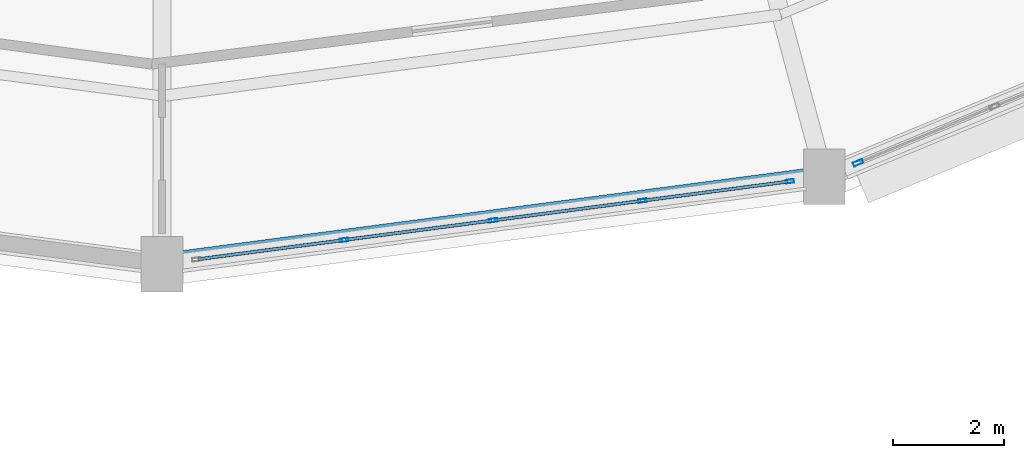
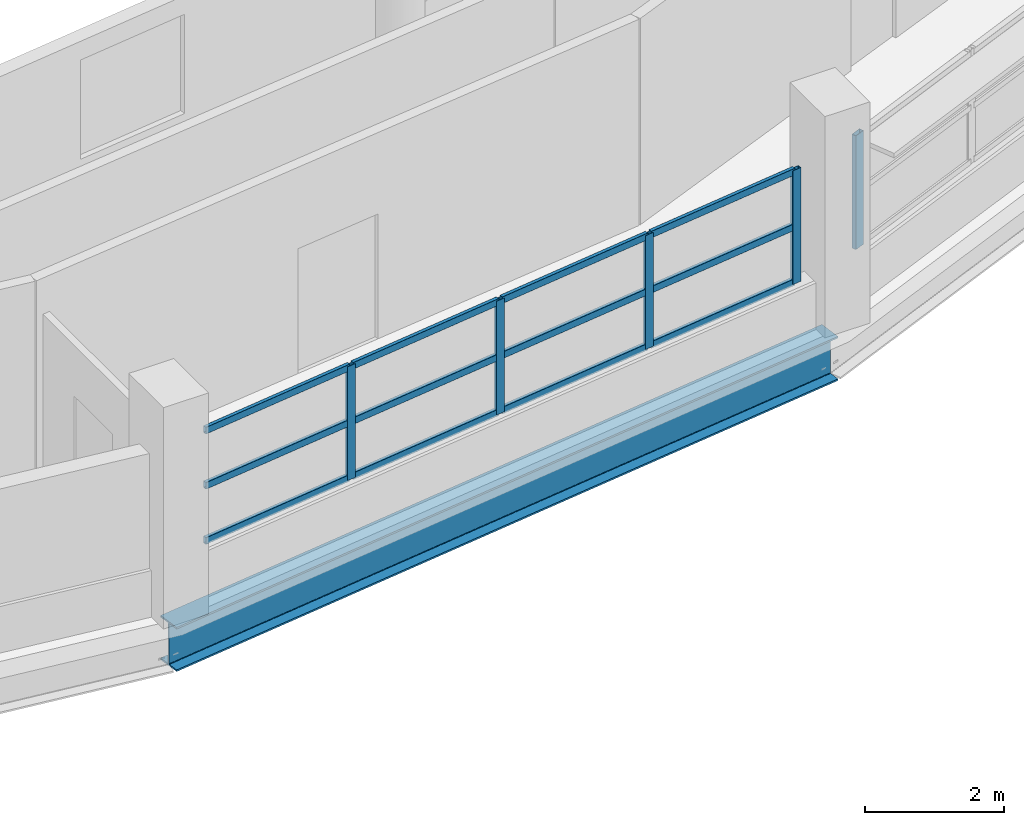
# One storey, part 22 of 88: 17 members, 1 beam, 2 elements without a shape of their own.
"""IFC4 building model written with IfcOpenShell, lengths in metres."""

from ifc_helpers import new_model, si_unit, direction, frame, origin, origin_2d, place, context, subcontext, project, spatial, hollow_rectangle, i_section, extrude, material, layer, layer_set, material_profile, profile_set, type_object, element, aggregate, save


model = new_model("IFC4")

# Units and contexts
model_context = context("Model", 3, precision=1e-05, world=origin(), true_north=direction((0.0, 1.0)))
body_context = subcontext(model_context, "Body", "Model", "MODEL_VIEW")
ifc_project = project(units=[si_unit("LENGTHUNIT", "METRE"), si_unit("AREAUNIT", "SQUARE_METRE"), si_unit("VOLUMEUNIT", "CUBIC_METRE"), si_unit("PLANEANGLEUNIT", "RADIAN"), si_unit("MASSUNIT", "GRAM", prefix="KILO")], contexts=[model_context])

# Site, building, storey
site_placement = place(None, origin())
site = spatial("IfcSite", under=ifc_project, at=site_placement, CompositionType="ELEMENT")
building_placement = place(site_placement, origin())
building = spatial("IfcBuilding", under=site, at=building_placement, Name="Vespera Passage Community Centre", CompositionType="ELEMENT")
storey_placement = place(building_placement, frame((0.0, 0.0, 16.5)))
storey = spatial("IfcBuildingStorey", under=building, at=storey_placement, Name="L04", CompositionType="ELEMENT", Elevation=16.5)

# Beam
ifc_material_1 = material(Name="Steel ASTM A992 Grade 50", Category="steel")
ifc_material_profile_1 = material_profile(ifc_material_1, i_section(OverallWidth=0.382080078125, OverallDepth=0.779296875, WebThickness=0.01806640625, FlangeThickness=0.030029296875, FilletRadius=0.0166015625, at=origin_2d()), Name="W30X191")
ifc_profile_set_1 = profile_set([ifc_material_profile_1], Name="Steel ASTM A992 Grade 50")
beam_type = type_object("IfcBeamType", Name="BM-SP-W30X191E", PredefinedType="SPANDREL", material=ifc_profile_set_1)
beam_placement = place(storey_placement, frame((78.0, 19.39990234375, -0.689697265625), z_axis=(0.991445178667, 0.130523782115, 0.0), x_axis=(-0.130523782115, 0.991445178667, 0.0)))
element("IfcBeam", 1, at=beam_placement, inside=storey, type_object=beam_type, Name="V4 L04 Outer Spandrel 18", PredefinedType="SPANDREL", context=body_context, shape_type="SweptSolid", body=[
    extrude(i_section(OverallWidth=0.382080078125, OverallDepth=0.779296875, WebThickness=0.01806640625, FlangeThickness=0.030029296875, FilletRadius=0.0166015625, at=origin_2d()), origin(), (0.0, 0.0, 1.0), 12.03466796875),
])

# Curtain wall, members
ifc_material_2 = material(Name="Anodized aluminium 6063-T6", Category="aluminium")
ifc_layer_1 = layer(ifc_material_2, 0.159912109375)
ifc_layer_set_1 = layer_set([ifc_layer_1], Name="Anodized aluminium 6063-T6")
curtain_wall_type_1 = type_object("IfcCurtainWallType", Name="CW-59E", PredefinedType="NOTDEFINED", material=ifc_layer_set_1)
curtain_wall_1_placement = place(storey_placement, origin())
curtain_wall_1 = element("IfcCurtainWall", 2, at=curtain_wall_1_placement, inside=storey, type_object=curtain_wall_type_1, Name="V4 L04 Outer Ribbon Curtain Wall 18", PredefinedType="NOTDEFINED")
ifc_material_3 = material(Name="Anodized aluminium 6063-T6", Category="aluminium")
ifc_material_profile_2 = material_profile(ifc_material_3, hollow_rectangle(XDim=0.06494140625, YDim=0.14990234375, WallThickness=0.00390625, InnerFilletRadius=0.001953125, OuterFilletRadius=0.00390625, at=origin_2d()), Name="ALU150X65X4")
ifc_profile_set_2 = profile_set([ifc_material_profile_2], Name="Anodized aluminium 6063-T6")
member_type_1 = type_object("IfcMemberType", Name="MB-CWM-150E", PredefinedType="MULLION", material=ifc_profile_set_2)
member_1_placement = place(storey_placement, frame((89.311279296875, 20.88916015625, 0.820068359375), z_axis=(0.0, 0.0, 1.0), x_axis=(0.130530818696, -0.991444252276, 0.0)))
member_1 = element("IfcMember", 3, at=member_1_placement, type_object=member_type_1, Name="CW-59E mullion 1", PredefinedType="MULLION", context=body_context, shape_type="SweptSolid", body=[
    extrude(hollow_rectangle(XDim=0.06494140625, YDim=0.14990234375, WallThickness=0.00390625, InnerFilletRadius=0.001953125, OuterFilletRadius=0.00390625, at=origin_2d()), origin(), (0.0, 0.0, 1.0), 2.005615234375),
])
member_2_placement = place(storey_placement, frame((86.654541015625, 20.539306640625, 0.820068359375), z_axis=(0.0, 0.0, 1.0), x_axis=(0.130530818696, -0.991444252276, 0.0)))
member_2 = element("IfcMember", 4, at=member_2_placement, type_object=member_type_1, Name="CW-59E mullion 2", PredefinedType="MULLION", context=body_context, shape_type="SweptSolid", body=[
    extrude(hollow_rectangle(XDim=0.06494140625, YDim=0.14990234375, WallThickness=0.00390625, InnerFilletRadius=0.001953125, OuterFilletRadius=0.00390625, at=origin_2d()), origin(), (0.0, 0.0, 1.0), 2.005615234375),
])
member_3_placement = place(storey_placement, frame((83.9658203125, 20.185302734375, 0.820068359375), z_axis=(0.0, 0.0, 1.0), x_axis=(0.130530818696, -0.991444252276, 0.0)))
member_3 = element("IfcMember", 5, at=member_3_placement, type_object=member_type_1, Name="CW-59E mullion 3", PredefinedType="MULLION", context=body_context, shape_type="SweptSolid", body=[
    extrude(hollow_rectangle(XDim=0.06494140625, YDim=0.14990234375, WallThickness=0.00390625, InnerFilletRadius=0.001953125, OuterFilletRadius=0.00390625, at=origin_2d()), origin(), (0.0, 0.0, 1.0), 2.005615234375),
])
member_4_placement = place(storey_placement, frame((81.277099609375, 19.831298828125, 0.820068359375), z_axis=(0.0, 0.0, 1.0), x_axis=(0.130530818696, -0.991444252276, 0.0)))
member_4 = element("IfcMember", 6, at=member_4_placement, type_object=member_type_1, Name="CW-59E mullion 4", PredefinedType="MULLION", context=body_context, shape_type="SweptSolid", body=[
    extrude(hollow_rectangle(XDim=0.06494140625, YDim=0.14990234375, WallThickness=0.00390625, InnerFilletRadius=0.001953125, OuterFilletRadius=0.00390625, at=origin_2d()), origin(), (0.0, 0.0, 1.0), 2.005615234375),
])

# Curtain wall, member
ifc_material_4 = material(Name="Anodized aluminium 6063-T6", Category="aluminium")
ifc_layer_2 = layer(ifc_material_4, 0.159912109375)
ifc_layer_set_2 = layer_set([ifc_layer_2], Name="Anodized aluminium 6063-T6")
curtain_wall_type_2 = type_object("IfcCurtainWallType", Name="CW-55E", PredefinedType="NOTDEFINED", material=ifc_layer_set_2)
curtain_wall_2_placement = place(storey_placement, origin())
curtain_wall_2 = element("IfcCurtainWall", 7, at=curtain_wall_2_placement, inside=storey, type_object=curtain_wall_type_2, Name="V4 L04 Outer Ribbon Curtain Wall 19", PredefinedType="NOTDEFINED")
ifc_material_5 = material(Name="Anodized aluminium 6063-T6", Category="aluminium")
ifc_material_profile_3 = material_profile(ifc_material_5, hollow_rectangle(XDim=0.074951171875, YDim=0.179931640625, WallThickness=0.0048828125, InnerFilletRadius=0.00244140625, OuterFilletRadius=0.0048828125, at=origin_2d()), Name="ALU180X75X5")
ifc_profile_set_3 = profile_set([ifc_material_profile_3], Name="Anodized aluminium 6063-T6")
member_type_2 = type_object("IfcMemberType", Name="MB-CWM-180E", PredefinedType="MULLION", material=ifc_profile_set_3)
member_5_placement = place(storey_placement, frame((90.539794921875, 21.22265625, 0.820068359375), z_axis=(0.0, 0.0, 1.0), x_axis=(0.382682936255, -0.923879738007, 0.0)))
member_5 = element("IfcMember", 8, at=member_5_placement, type_object=member_type_2, Name="CW-55E mullion 5", PredefinedType="MULLION", context=body_context, shape_type="SweptSolid", body=[
    extrude(hollow_rectangle(XDim=0.074951171875, YDim=0.179931640625, WallThickness=0.0048828125, InnerFilletRadius=0.00244140625, OuterFilletRadius=0.0048828125, at=origin_2d()), origin(), (0.0, 0.0, 1.0), 2.005615234375),
])
aggregate(curtain_wall_2, [member_5])

# Member
ifc_material_6 = material(Name="Anodized aluminium 6063-T6", Category="aluminium")
ifc_material_profile_4 = material_profile(ifc_material_6, hollow_rectangle(XDim=0.06005859375, YDim=0.1201171875, WallThickness=0.00390625, InnerFilletRadius=0.001953125, OuterFilletRadius=0.00390625, at=origin_2d()), Name="ALU120X60X4")
ifc_profile_set_4 = profile_set([ifc_material_profile_4], Name="Anodized aluminium 6063-T6")
member_type_3 = type_object("IfcMemberType", Name="MB-CWT-120E", PredefinedType="USERDEFINED", material=ifc_profile_set_4)
member_6_placement = place(storey_placement, frame((89.279052734375, 20.885009765625, 0.85009765625), z_axis=(-0.991443486455, -0.130536635342, 0.0), x_axis=(0.130536635342, -0.991443486455, 0.0)))
member_6 = element("IfcMember", 9, at=member_6_placement, type_object=member_type_3, Name="CW-59E transom 1.1", ObjectType="TRANSOM", PredefinedType="USERDEFINED", context=body_context, shape_type="SweptSolid", body=[
    extrude(hollow_rectangle(XDim=0.06005859375, YDim=0.1201171875, WallThickness=0.00390625, InnerFilletRadius=0.001953125, OuterFilletRadius=0.00390625, at=origin_2d()), origin(), (0.0, 0.0, 1.0), 2.61474609375),
])

member_7_placement = place(storey_placement, frame((89.279052734375, 20.885009765625, 1.82275390625), z_axis=(-0.991443486455, -0.130536635342, 0.0), x_axis=(0.130536635342, -0.991443486455, 0.0)))
member_7 = element("IfcMember", 10, at=member_7_placement, type_object=member_type_3, Name="CW-59E transom 1.2", ObjectType="TRANSOM", PredefinedType="USERDEFINED", context=body_context, shape_type="SweptSolid", body=[
    extrude(hollow_rectangle(XDim=0.06005859375, YDim=0.1201171875, WallThickness=0.00390625, InnerFilletRadius=0.001953125, OuterFilletRadius=0.00390625, at=origin_2d()), origin(), (0.0, 0.0, 1.0), 2.61474609375),
])

member_8_placement = place(storey_placement, frame((89.279052734375, 20.885009765625, 2.795654296875), z_axis=(-0.991443486455, -0.130536635342, 0.0), x_axis=(0.130536635342, -0.991443486455, 0.0)))
member_8 = element("IfcMember", 11, at=member_8_placement, type_object=member_type_3, Name="CW-59E transom 1.3", ObjectType="TRANSOM", PredefinedType="USERDEFINED", context=body_context, shape_type="SweptSolid", body=[
    extrude(hollow_rectangle(XDim=0.06005859375, YDim=0.1201171875, WallThickness=0.00390625, InnerFilletRadius=0.001953125, OuterFilletRadius=0.00390625, at=origin_2d()), origin(), (0.0, 0.0, 1.0), 2.61474609375),
])

member_9_placement = place(storey_placement, frame((86.622314453125, 20.53515625, 0.85009765625), z_axis=(-0.991446445198, -0.130514161313, 0.0), x_axis=(0.130514161313, -0.991446445198, 0.0)))
member_9 = element("IfcMember", 12, at=member_9_placement, type_object=member_type_3, Name="CW-59E transom 2.1", ObjectType="TRANSOM", PredefinedType="USERDEFINED", context=body_context, shape_type="SweptSolid", body=[
    extrude(hollow_rectangle(XDim=0.06005859375, YDim=0.1201171875, WallThickness=0.00390625, InnerFilletRadius=0.001953125, OuterFilletRadius=0.00390625, at=origin_2d()), origin(), (0.0, 0.0, 1.0), 2.64697265625),
])

member_10_placement = place(storey_placement, frame((86.622314453125, 20.53515625, 1.82275390625), z_axis=(-0.991446445198, -0.130514161313, 0.0), x_axis=(0.130514161313, -0.991446445198, 0.0)))
member_10 = element("IfcMember", 13, at=member_10_placement, type_object=member_type_3, Name="CW-59E transom 2.2", ObjectType="TRANSOM", PredefinedType="USERDEFINED", context=body_context, shape_type="SweptSolid", body=[
    extrude(hollow_rectangle(XDim=0.06005859375, YDim=0.1201171875, WallThickness=0.00390625, InnerFilletRadius=0.001953125, OuterFilletRadius=0.00390625, at=origin_2d()), origin(), (0.0, 0.0, 1.0), 2.64697265625),
])

member_11_placement = place(storey_placement, frame((86.622314453125, 20.53515625, 2.795654296875), z_axis=(-0.991446445198, -0.130514161313, 0.0), x_axis=(0.130514161313, -0.991446445198, 0.0)))
member_11 = element("IfcMember", 14, at=member_11_placement, type_object=member_type_3, Name="CW-59E transom 2.3", ObjectType="TRANSOM", PredefinedType="USERDEFINED", context=body_context, shape_type="SweptSolid", body=[
    extrude(hollow_rectangle(XDim=0.06005859375, YDim=0.1201171875, WallThickness=0.00390625, InnerFilletRadius=0.001953125, OuterFilletRadius=0.00390625, at=origin_2d()), origin(), (0.0, 0.0, 1.0), 2.64697265625),
])

member_12_placement = place(storey_placement, frame((83.93359375, 20.18115234375, 0.85009765625), z_axis=(-0.991446445198, -0.130514161313, 0.0), x_axis=(0.130514161313, -0.991446445198, 0.0)))
member_12 = element("IfcMember", 15, at=member_12_placement, type_object=member_type_3, Name="CW-59E transom 3.1", ObjectType="TRANSOM", PredefinedType="USERDEFINED", context=body_context, shape_type="SweptSolid", body=[
    extrude(hollow_rectangle(XDim=0.06005859375, YDim=0.1201171875, WallThickness=0.00390625, InnerFilletRadius=0.001953125, OuterFilletRadius=0.00390625, at=origin_2d()), origin(), (0.0, 0.0, 1.0), 2.64697265625),
])

member_13_placement = place(storey_placement, frame((83.93359375, 20.18115234375, 1.82275390625), z_axis=(-0.991446445198, -0.130514161313, 0.0), x_axis=(0.130514161313, -0.991446445198, 0.0)))
member_13 = element("IfcMember", 16, at=member_13_placement, type_object=member_type_3, Name="CW-59E transom 3.2", ObjectType="TRANSOM", PredefinedType="USERDEFINED", context=body_context, shape_type="SweptSolid", body=[
    extrude(hollow_rectangle(XDim=0.06005859375, YDim=0.1201171875, WallThickness=0.00390625, InnerFilletRadius=0.001953125, OuterFilletRadius=0.00390625, at=origin_2d()), origin(), (0.0, 0.0, 1.0), 2.64697265625),
])

member_14_placement = place(storey_placement, frame((83.93359375, 20.18115234375, 2.795654296875), z_axis=(-0.991446445198, -0.130514161313, 0.0), x_axis=(0.130514161313, -0.991446445198, 0.0)))
member_14 = element("IfcMember", 17, at=member_14_placement, type_object=member_type_3, Name="CW-59E transom 3.3", ObjectType="TRANSOM", PredefinedType="USERDEFINED", context=body_context, shape_type="SweptSolid", body=[
    extrude(hollow_rectangle(XDim=0.06005859375, YDim=0.1201171875, WallThickness=0.00390625, InnerFilletRadius=0.001953125, OuterFilletRadius=0.00390625, at=origin_2d()), origin(), (0.0, 0.0, 1.0), 2.64697265625),
])

member_15_placement = place(storey_placement, frame((81.244873046875, 19.8271484375, 0.85009765625), z_axis=(-0.991443486455, -0.130536635342, 0.0), x_axis=(0.130536635342, -0.991443486455, 0.0)))
member_15 = element("IfcMember", 18, at=member_15_placement, type_object=member_type_3, Name="CW-59E transom 4.1", ObjectType="TRANSOM", PredefinedType="USERDEFINED", context=body_context, shape_type="SweptSolid", body=[
    extrude(hollow_rectangle(XDim=0.06005859375, YDim=0.1201171875, WallThickness=0.00390625, InnerFilletRadius=0.001953125, OuterFilletRadius=0.00390625, at=origin_2d()), origin(), (0.0, 0.0, 1.0), 2.61474609375),
])

member_16_placement = place(storey_placement, frame((81.244873046875, 19.8271484375, 1.82275390625), z_axis=(-0.991443486455, -0.130536635342, 0.0), x_axis=(0.130536635342, -0.991443486455, 0.0)))
member_16 = element("IfcMember", 19, at=member_16_placement, type_object=member_type_3, Name="CW-59E transom 4.2", ObjectType="TRANSOM", PredefinedType="USERDEFINED", context=body_context, shape_type="SweptSolid", body=[
    extrude(hollow_rectangle(XDim=0.06005859375, YDim=0.1201171875, WallThickness=0.00390625, InnerFilletRadius=0.001953125, OuterFilletRadius=0.00390625, at=origin_2d()), origin(), (0.0, 0.0, 1.0), 2.61474609375),
])

member_17_placement = place(storey_placement, frame((81.244873046875, 19.8271484375, 2.795654296875), z_axis=(-0.991443486455, -0.130536635342, 0.0), x_axis=(0.130536635342, -0.991443486455, 0.0)))
member_17 = element("IfcMember", 20, at=member_17_placement, type_object=member_type_3, Name="CW-59E transom 4.3", ObjectType="TRANSOM", PredefinedType="USERDEFINED", context=body_context, shape_type="SweptSolid", body=[
    extrude(hollow_rectangle(XDim=0.06005859375, YDim=0.1201171875, WallThickness=0.00390625, InnerFilletRadius=0.001953125, OuterFilletRadius=0.00390625, at=origin_2d()), origin(), (0.0, 0.0, 1.0), 2.61474609375),
])

aggregate(curtain_wall_1, [member_1, member_2, member_3, member_4, member_6, member_7, member_8, member_9, member_10, member_11, member_12, member_13, member_14, member_15, member_16, member_17])

save(model, "model.ifc")
